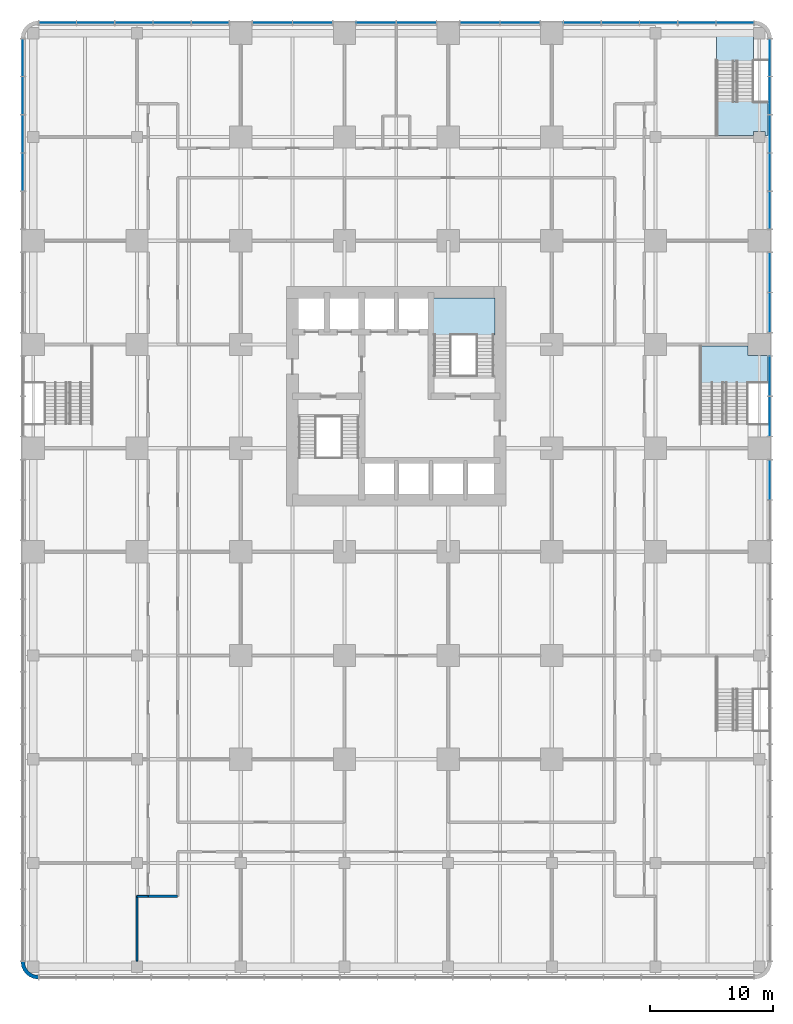
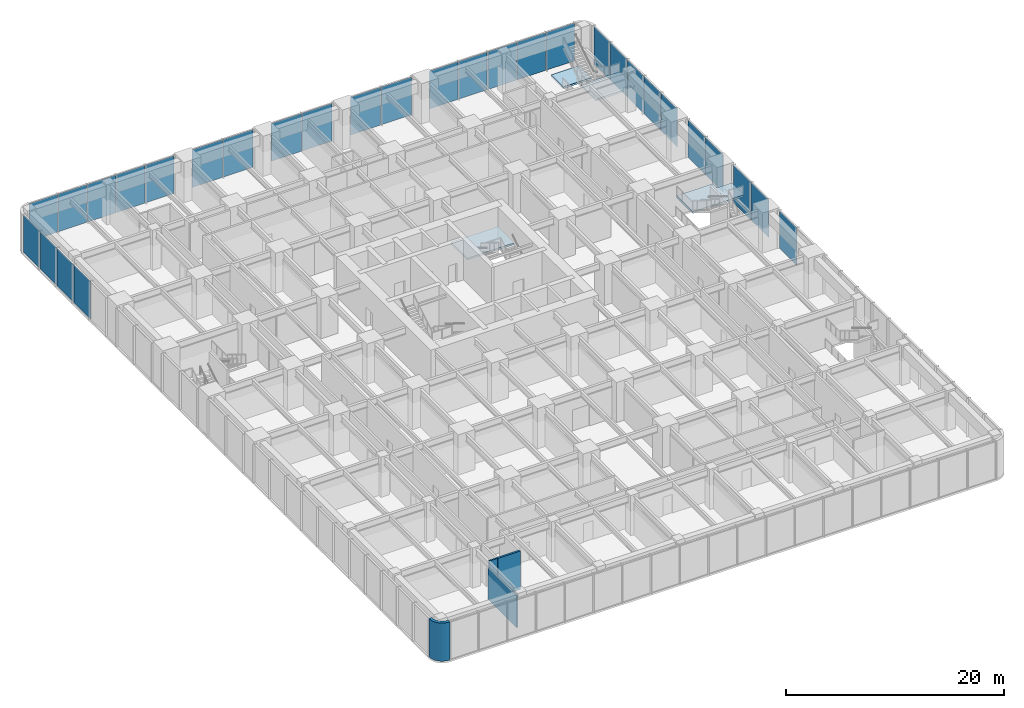
# One storey, part 10 of 19: 30 plates, 4 slabs, 4 walls, 6 elements without a shape of their own.
"""IFC4 building model written with IfcOpenShell, lengths in metres."""

import ifcopenshell
import ifcopenshell.guid

model = None  # the IFC model being written
_history = None  # IfcOwnerHistory: only IFC2X3 demands one
_inside = {}  # id of a spatial element -> (the spatial element, [elements in it])
_under = {}  # id of a project, library or spatial element -> (it, [spatial elements below it])
_declared = {}  # id of a project -> (the project, [libraries it declares])
_typed = {}  # id of a type object -> (the type object, [elements of that type])
_made_of = {}  # id of a material, layer set ... -> (it, [elements and type objects made of it])


def new_model(schema):
    """Start an empty IFC model of exactly this schema.

    Asked for "IFC4X3", IfcOpenShell would pick the latest addendum, in which some entities
    have other attributes; the version numbers below select the first issue.
    IFC2X3 requires an IfcOwnerHistory on every rooted entity: one is made here for all.
    """
    global model, _history
    if schema == "IFC4X3":
        model = ifcopenshell.file(schema_version=(4, 3, 0, 0))
    else:
        model = ifcopenshell.file(schema=schema)
    _inside.clear()
    _under.clear()
    _declared.clear()
    _typed.clear()
    _made_of.clear()
    _history = None
    if model.schema == "IFC2X3":
        org = make("IfcOrganization", Name="unknown")
        user = make(
            "IfcPersonAndOrganization",
            ThePerson=make("IfcPerson", FamilyName="unknown"),
            TheOrganization=org,
        )
        app = make(
            "IfcApplication",
            ApplicationDeveloper=org,
            Version="unknown",
            ApplicationFullName="unknown",
            ApplicationIdentifier="unknown",
        )
        _history = make(
            "IfcOwnerHistory",
            OwningUser=user,
            OwningApplication=app,
            ChangeAction="ADDED",
            CreationDate=0,
        )
    return model


def make(cls, **values):
    """One entity of the class cls with the attributes given. An attribute that is None is left unset."""
    return model.create_entity(
        cls, **{name: value for name, value in values.items() if value is not None}
    )


def rooted(cls, **values):
    """An entity with a GlobalId (a new one), such as an element, a storey or a relation."""
    return make(cls, GlobalId=ifcopenshell.guid.new(), OwnerHistory=_history, **values)


def si_unit(unit_type, name, prefix=None):
    """IfcSIUnit, for example si_unit("LENGTHUNIT", "METRE", prefix="MILLI")."""
    return make("IfcSIUnit", UnitType=unit_type, Prefix=prefix, Name=name)


def assignment(units):
    """IfcUnitAssignment: the units of a project."""
    return None if units is None else make("IfcUnitAssignment", Units=units)


def point(xyz):
    """IfcCartesianPoint."""
    return None if xyz is None else make("IfcCartesianPoint", Coordinates=xyz)


def direction(xyz):
    """IfcDirection."""
    return None if xyz is None else make("IfcDirection", DirectionRatios=xyz)


def frame(location, z_axis=None, x_axis=None):
    """IfcAxis2Placement3D, a coordinate frame: its origin and axes. An axis left out is left unset."""
    return make(
        "IfcAxis2Placement3D",
        Location=point(location),
        Axis=direction(z_axis),
        RefDirection=direction(x_axis),
    )


def frame_2d(location, x_axis=None):
    """IfcAxis2Placement2D, a coordinate frame in the plane: its origin and x axis."""
    return make(
        "IfcAxis2Placement2D", Location=point(location), RefDirection=direction(x_axis)
    )


def origin():
    """The frame at (0, 0, 0) with its axes left unset."""
    return frame((0.0, 0.0, 0.0))


def origin_2d():
    """The frame at (0, 0) in the plane with its x axis left unset."""
    return frame_2d((0.0, 0.0))


def place(relative_to, where):
    """IfcLocalPlacement: puts the frame where relative to a parent placement (None: the world)."""
    return make(
        "IfcLocalPlacement", PlacementRelTo=relative_to, RelativePlacement=where
    )


def context(
    kind, dimensions, precision=None, world=None, true_north=None, identifier=None
):
    """IfcGeometricRepresentationContext, for example the 3D "Model" context."""
    return make(
        "IfcGeometricRepresentationContext",
        ContextIdentifier=identifier,
        ContextType=kind,
        CoordinateSpaceDimension=dimensions,
        Precision=precision,
        WorldCoordinateSystem=world,
        TrueNorth=true_north,
    )


def subcontext(parent, identifier, kind, view, scale=None):
    """IfcGeometricRepresentationSubContext, for example "Body" below "Model"."""
    return make(
        "IfcGeometricRepresentationSubContext",
        ContextIdentifier=identifier,
        ContextType=kind,
        ParentContext=parent,
        TargetScale=scale,
        TargetView=view,
    )


def project(units=None, contexts=None):
    """IfcProject with its units and contexts."""
    return rooted(
        "IfcProject",
        Name="project",
        RepresentationContexts=contexts,
        UnitsInContext=assignment(units),
    )


def spatial(cls, under=None, at=None, **own):
    """A site, building, storey or space (cls), placed at a placement, below another one or the project."""
    s = rooted(cls, ObjectPlacement=at, **own)
    if under is not None:
        _under.setdefault(under.id(), (under, []))[1].append(s)
    return s


def polyline(points):
    """IfcPolyline through the points."""
    return make("IfcPolyline", Points=[point(p) for p in points])


def profile(cls, at=None, kind="AREA", **sizes):
    """A parametric profile (cls). Its sizes go by their IFC names, for example OverallWidth=200.0."""
    return make(cls, ProfileType=kind, Position=at, **sizes)


def rectangle(**sizes):
    """IfcRectangleProfileDef."""
    return profile("IfcRectangleProfileDef", **sizes)


def outline(outer, holes=None, kind="AREA"):
    """IfcArbitraryClosedProfileDef: a profile drawn as a closed curve; with holes, ...WithVoids."""
    if holes is None:
        return make("IfcArbitraryClosedProfileDef", ProfileType=kind, OuterCurve=outer)
    return make(
        "IfcArbitraryProfileDefWithVoids",
        ProfileType=kind,
        OuterCurve=outer,
        InnerCurves=holes,
    )


def extrude(swept, where, along, depth):
    """IfcExtrudedAreaSolid: the profile swept, set in the frame where, extruded along a direction by depth."""
    return make(
        "IfcExtrudedAreaSolid",
        SweptArea=swept,
        Position=where,
        ExtrudedDirection=direction(along),
        Depth=depth,
    )


def shape(context_of_items, identifier, shape_type, items):
    """IfcShapeRepresentation: the items that make up one representation, for example the "Body"."""
    return make(
        "IfcShapeRepresentation",
        ContextOfItems=context_of_items,
        RepresentationIdentifier=identifier,
        RepresentationType=shape_type,
        Items=items,
    )


def material(Name=None, Category=None):
    """IfcMaterial."""
    return make("IfcMaterial", Name=Name, Category=Category)


def layer(
    of_material, thickness, ventilated=None, Name=None, Category=None, Priority=None
):
    """IfcMaterialLayer: one layer of a wall or slab, of a material (None: an air gap)."""
    return make(
        "IfcMaterialLayer",
        Material=of_material,
        LayerThickness=thickness,
        IsVentilated=ventilated,
        Name=Name,
        Category=Category,
        Priority=Priority,
    )


def layer_set(layers, Name=None):
    """IfcMaterialLayerSet."""
    return make("IfcMaterialLayerSet", MaterialLayers=layers, LayerSetName=Name)


def made_of(thing, what):
    """Note that an element or type object is made of a material, layer set ...; save() writes the relation."""
    if what is not None:
        _made_of.setdefault(what.id(), (what, []))[1].append(thing)
    return thing


def type_object(cls, material=None, **own):
    """A type object (cls), such as IfcWallType, which elements share."""
    return made_of(rooted(cls, **own), material)


def element(
    cls,
    number,
    at=None,
    inside=None,
    cuts=None,
    type_object=None,
    material=None,
    context=None,
    identifier="Body",
    shape_type=None,
    held_by="IfcProductDefinitionShape",
    body=None,
    shapes=None,
    **own,
):
    """One element of the class cls, such as IfcWall. Its Tag is "e" and its number.

    at: its placement. inside: the storey or other place that contains it. cuts: it is an
    opening in that element (IfcRelVoidsElement). A single representation is given by context,
    identifier, shape_type and body (its items); several are given by shapes. held_by: the class
    of the entity that holds the representations. save() writes the other relations.
    """
    e = rooted(cls, Tag="e%d" % number, ObjectPlacement=at, **own)
    if body is not None:
        shapes = [shape(context, identifier, shape_type, body)]
    if shapes is not None:
        e.Representation = make(held_by, Representations=shapes)
    if inside is not None:
        _inside.setdefault(inside.id(), (inside, []))[1].append(e)
    if cuts is not None:
        rooted(
            "IfcRelVoidsElement", RelatingBuildingElement=cuts, RelatedOpeningElement=e
        )
    if type_object is not None:
        _typed.setdefault(type_object.id(), (type_object, []))[1].append(e)
    return made_of(e, material)


def aggregate(whole, parts):
    """IfcRelAggregates: a whole, such as a stair, and the parts it consists of."""
    return rooted("IfcRelAggregates", RelatingObject=whole, RelatedObjects=parts)


def save(model, path):
    """Write the relations noted so far, then the file.

    IfcRelAggregates (storeys below a building ...), IfcRelContainedInSpatialStructure (elements
    in a storey), IfcRelDefinesByType, IfcRelAssociatesMaterial and IfcRelDeclares: one each for
    every whole, place, type object, material and project.
    """
    for whole, parts in _under.values():
        aggregate(whole, parts)
    for where, things in _inside.values():
        rooted(
            "IfcRelContainedInSpatialStructure",
            RelatedElements=things,
            RelatingStructure=where,
        )
    for kind, things in _typed.values():
        rooted("IfcRelDefinesByType", RelatedObjects=things, RelatingType=kind)
    for what, things in _made_of.values():
        rooted("IfcRelAssociatesMaterial", RelatedObjects=things, RelatingMaterial=what)
    for by, libraries in _declared.values():
        rooted("IfcRelDeclares", RelatingContext=by, RelatedDefinitions=libraries)
    model.write(path)


model = new_model("IFC4")

# Units and contexts
model_context = context("Model", 3, precision=1e-05, world=origin(), true_north=direction((0.0, 1.0)))
body_context = subcontext(model_context, "Body", "Model", "MODEL_VIEW")
ifc_project = project(units=[si_unit("LENGTHUNIT", "METRE"), si_unit("AREAUNIT", "SQUARE_METRE"), si_unit("VOLUMEUNIT", "CUBIC_METRE"), si_unit("PLANEANGLEUNIT", "RADIAN"), si_unit("MASSUNIT", "GRAM", prefix="KILO")], contexts=[model_context])

# Site, building, storey
site_placement = place(None, origin())
site = spatial("IfcSite", under=ifc_project, at=site_placement, CompositionType="ELEMENT")
building_placement = place(site_placement, origin())
building = spatial("IfcBuilding", under=site, at=building_placement, Name="Torre Alcanfor", CompositionType="ELEMENT")
storey_placement = place(building_placement, frame((0.0, 0.0, 6.0)))
storey = spatial("IfcBuildingStorey", under=building, at=storey_placement, Name="L01", CompositionType="ELEMENT", Elevation=6.0)

# Curtain wall, plates
ifc_material_1 = material(Name="Aluminium and glass", Category="aluminium")
curtain_wall_type = type_object("IfcCurtainWallType", Name="CW-B unitised classroom glazing with vertical FIN", PredefinedType="NOTDEFINED", material=ifc_material_1)
curtain_wall_1_placement = place(storey_placement, origin())
curtain_wall_1 = element("IfcCurtainWall", 1, at=curtain_wall_1_placement, inside=storey, type_object=curtain_wall_type, Name="Curtain wall CW-B L01 1", PredefinedType="NOTDEFINED")
ifc_material_2 = material(Name="Glass", Category="glass")
ifc_layer_1 = layer(ifc_material_2, 0.028076171875)
ifc_layer_set_1 = layer_set([ifc_layer_1], Name="CW-B clear double glazed unit")
plate_type = type_object("IfcPlateType", Name="CW-B clear double glazed unit", PredefinedType="CURTAIN_PANEL", material=ifc_layer_set_1)
plate_1_placement = place(storey_placement, frame((59.64990234375, 22.63134765625, 0.0), z_axis=(0.0, 0.0, 1.0), x_axis=(0.0, 1.0, 0.0)))
plate_1 = element("IfcPlate", 2, at=plate_1_placement, type_object=plate_type, Name="CW-B panel 2.2.1", PredefinedType="CURTAIN_PANEL", context=body_context, shape_type="SweptSolid", body=[
    extrude(rectangle(XDim=3.197509765625, YDim=0.028076171875, at=origin_2d()), origin(), (0.0, 0.0, 1.0), 4.235107421875),
])
plate_2_placement = place(storey_placement, frame((59.64990234375, 27.768798828125, 0.0), z_axis=(0.0, 0.0, 1.0), x_axis=(0.0, 1.0, 0.0)))
plate_2 = element("IfcPlate", 3, at=plate_2_placement, type_object=plate_type, Name="CW-B panel 3.1.1", PredefinedType="CURTAIN_PANEL", context=body_context, shape_type="SweptSolid", body=[
    extrude(rectangle(XDim=3.197509765625, YDim=0.028076171875, at=origin_2d()), origin(), (0.0, 0.0, 1.0), 4.235107421875),
])
plate_3_placement = place(storey_placement, frame((59.64990234375, 31.03125, 0.0), z_axis=(0.0, 0.0, 1.0), x_axis=(0.0, 1.0, 0.0)))
plate_3 = element("IfcPlate", 4, at=plate_3_placement, type_object=plate_type, Name="CW-B panel 3.2.1", PredefinedType="CURTAIN_PANEL", context=body_context, shape_type="SweptSolid", body=[
    extrude(rectangle(XDim=3.197509765625, YDim=0.028076171875, at=origin_2d()), origin(), (0.0, 0.0, 1.0), 4.235107421875),
])
plate_4_placement = place(storey_placement, frame((59.64990234375, 36.168701171875, 0.0), z_axis=(0.0, 0.0, 1.0), x_axis=(0.0, 1.0, 0.0)))
plate_4 = element("IfcPlate", 5, at=plate_4_placement, type_object=plate_type, Name="CW-B panel 4.1.1", PredefinedType="CURTAIN_PANEL", context=body_context, shape_type="SweptSolid", body=[
    extrude(rectangle(XDim=3.197509765625, YDim=0.028076171875, at=origin_2d()), origin(), (0.0, 0.0, 1.0), 4.235107421875),
])
plate_5_placement = place(storey_placement, frame((59.64990234375, 39.43115234375, 0.0), z_axis=(0.0, 0.0, 1.0), x_axis=(0.0, 1.0, 0.0)))
plate_5 = element("IfcPlate", 6, at=plate_5_placement, type_object=plate_type, Name="CW-B panel 4.2.1", PredefinedType="CURTAIN_PANEL", context=body_context, shape_type="SweptSolid", body=[
    extrude(rectangle(XDim=3.197509765625, YDim=0.028076171875, at=origin_2d()), origin(), (0.0, 0.0, 1.0), 4.235107421875),
])
plate_6_placement = place(storey_placement, frame((59.64990234375, 44.470703125, 0.0), z_axis=(0.0, 0.0, 1.0), x_axis=(0.0, 1.0, 0.0)))
plate_6 = element("IfcPlate", 7, at=plate_6_placement, type_object=plate_type, Name="CW-B panel 5.1.1", PredefinedType="CURTAIN_PANEL", context=body_context, shape_type="SweptSolid", body=[
    extrude(rectangle(XDim=3.00146484375, YDim=0.028076171875, at=origin_2d()), origin(), (0.0, 0.0, 1.0), 4.235107421875),
])
plate_7_placement = place(storey_placement, frame((59.64990234375, 47.553466796875, 0.0), z_axis=(0.0, 0.0, 1.0), x_axis=(0.0, 1.0, 0.0)))
plate_7 = element("IfcPlate", 8, at=plate_7_placement, type_object=plate_type, Name="CW-B panel 5.2.1", PredefinedType="CURTAIN_PANEL", context=body_context, shape_type="SweptSolid", body=[
    extrude(rectangle(XDim=3.033935546875, YDim=0.028076171875, at=origin_2d()), origin(), (0.0, 0.0, 1.0), 4.235107421875),
])
plate_8_placement = place(storey_placement, frame((59.64990234375, 50.652587890625, 0.0), z_axis=(0.0, 0.0, 1.0), x_axis=(0.0, 1.0, 0.0)))
plate_8 = element("IfcPlate", 9, at=plate_8_placement, type_object=plate_type, Name="CW-B panel 5.3.1", PredefinedType="CURTAIN_PANEL", context=body_context, shape_type="SweptSolid", body=[
    extrude(rectangle(XDim=3.033935546875, YDim=0.028076171875, at=origin_2d()), origin(), (0.0, 0.0, 1.0), 4.235107421875),
])
plate_9_placement = place(storey_placement, frame((59.64990234375, 53.75146484375, 0.0), z_axis=(0.0, 0.0, 1.0), x_axis=(0.0, 1.0, 0.0)))
plate_9 = element("IfcPlate", 10, at=plate_9_placement, type_object=plate_type, Name="CW-B panel 5.4.1", PredefinedType="CURTAIN_PANEL", context=body_context, shape_type="SweptSolid", body=[
    extrude(rectangle(XDim=3.033935546875, YDim=0.028076171875, at=origin_2d()), origin(), (0.0, 0.0, 1.0), 4.235107421875),
])
plate_10_placement = place(storey_placement, frame((59.64990234375, 56.834228515625, 0.0), z_axis=(0.0, 0.0, 1.0), x_axis=(0.0, 1.0, 0.0)))
plate_10 = element("IfcPlate", 11, at=plate_10_placement, type_object=plate_type, Name="CW-B panel 5.5.1", PredefinedType="CURTAIN_PANEL", context=body_context, shape_type="SweptSolid", body=[
    extrude(rectangle(XDim=3.00146484375, YDim=0.028076171875, at=origin_2d()), origin(), (0.0, 0.0, 1.0), 4.235107421875),
])
aggregate(curtain_wall_1, [plate_1, plate_2, plate_3, plate_4, plate_5, plate_6, plate_7, plate_8, plate_9, plate_10])

curtain_wall_2_placement = place(storey_placement, origin())
curtain_wall_2 = element("IfcCurtainWall", 12, at=curtain_wall_2_placement, inside=storey, type_object=curtain_wall_type, Name="Curtain wall CW-B L01 2", PredefinedType="NOTDEFINED")
plate_11_placement = place(storey_placement, frame((56.834228515625, 59.64990234375, 0.0), z_axis=(0.0, 0.0, 1.0), x_axis=(-1.0, 0.0, 0.0)))
plate_11 = element("IfcPlate", 13, at=plate_11_placement, type_object=plate_type, Name="CW-B panel 1.1.1", PredefinedType="CURTAIN_PANEL", context=body_context, shape_type="SweptSolid", body=[
    extrude(rectangle(XDim=3.00146484375, YDim=0.028076171875, at=origin_2d()), origin(), (0.0, 0.0, 1.0), 4.235107421875),
])
plate_12_placement = place(storey_placement, frame((53.75146484375, 59.64990234375, 0.0), z_axis=(0.0, 0.0, 1.0), x_axis=(-1.0, 0.0, 0.0)))
plate_12 = element("IfcPlate", 14, at=plate_12_placement, type_object=plate_type, Name="CW-B panel 1.2.1", PredefinedType="CURTAIN_PANEL", context=body_context, shape_type="SweptSolid", body=[
    extrude(rectangle(XDim=3.033935546875, YDim=0.028076171875, at=origin_2d()), origin(), (0.0, 0.0, 1.0), 4.235107421875),
])
plate_13_placement = place(storey_placement, frame((50.652587890625, 59.64990234375, 0.0), z_axis=(0.0, 0.0, 1.0), x_axis=(-1.0, 0.0, 0.0)))
plate_13 = element("IfcPlate", 15, at=plate_13_placement, type_object=plate_type, Name="CW-B panel 1.3.1", PredefinedType="CURTAIN_PANEL", context=body_context, shape_type="SweptSolid", body=[
    extrude(rectangle(XDim=3.033935546875, YDim=0.028076171875, at=origin_2d()), origin(), (0.0, 0.0, 1.0), 4.235107421875),
])
plate_14_placement = place(storey_placement, frame((47.553466796875, 59.64990234375, 0.0), z_axis=(0.0, 0.0, 1.0), x_axis=(-1.0, 0.0, 0.0)))
plate_14 = element("IfcPlate", 16, at=plate_14_placement, type_object=plate_type, Name="CW-B panel 1.4.1", PredefinedType="CURTAIN_PANEL", context=body_context, shape_type="SweptSolid", body=[
    extrude(rectangle(XDim=3.033935546875, YDim=0.028076171875, at=origin_2d()), origin(), (0.0, 0.0, 1.0), 4.235107421875),
])
plate_15_placement = place(storey_placement, frame((44.470703125, 59.64990234375, 0.0), z_axis=(0.0, 0.0, 1.0), x_axis=(-1.0, 0.0, 0.0)))
plate_15 = element("IfcPlate", 17, at=plate_15_placement, type_object=plate_type, Name="CW-B panel 1.5.1", PredefinedType="CURTAIN_PANEL", context=body_context, shape_type="SweptSolid", body=[
    extrude(rectangle(XDim=3.00146484375, YDim=0.028076171875, at=origin_2d()), origin(), (0.0, 0.0, 1.0), 4.235107421875),
])
plate_16_placement = place(storey_placement, frame((39.43115234375, 59.64990234375, 0.0), z_axis=(0.0, 0.0, 1.0), x_axis=(-1.0, 0.0, 0.0)))
plate_16 = element("IfcPlate", 18, at=plate_16_placement, type_object=plate_type, Name="CW-B panel 2.1.1", PredefinedType="CURTAIN_PANEL", context=body_context, shape_type="SweptSolid", body=[
    extrude(rectangle(XDim=3.197509765625, YDim=0.028076171875, at=origin_2d()), origin(), (0.0, 0.0, 1.0), 4.235107421875),
])
plate_17_placement = place(storey_placement, frame((36.168701171875, 59.64990234375, 0.0), z_axis=(0.0, 0.0, 1.0), x_axis=(-1.0, 0.0, 0.0)))
plate_17 = element("IfcPlate", 19, at=plate_17_placement, type_object=plate_type, Name="CW-B panel 2.2.1", PredefinedType="CURTAIN_PANEL", context=body_context, shape_type="SweptSolid", body=[
    extrude(rectangle(XDim=3.197509765625, YDim=0.028076171875, at=origin_2d()), origin(), (0.0, 0.0, 1.0), 4.235107421875),
])
plate_18_placement = place(storey_placement, frame((31.03125, 59.64990234375, 0.0), z_axis=(0.0, 0.0, 1.0), x_axis=(-1.0, 0.0, 0.0)))
plate_18 = element("IfcPlate", 20, at=plate_18_placement, type_object=plate_type, Name="CW-B panel 3.1.1", PredefinedType="CURTAIN_PANEL", context=body_context, shape_type="SweptSolid", body=[
    extrude(rectangle(XDim=3.197509765625, YDim=0.028076171875, at=origin_2d()), origin(), (0.0, 0.0, 1.0), 4.235107421875),
])
plate_19_placement = place(storey_placement, frame((27.768798828125, 59.64990234375, 0.0), z_axis=(0.0, 0.0, 1.0), x_axis=(-1.0, 0.0, 0.0)))
plate_19 = element("IfcPlate", 21, at=plate_19_placement, type_object=plate_type, Name="CW-B panel 3.2.1", PredefinedType="CURTAIN_PANEL", context=body_context, shape_type="SweptSolid", body=[
    extrude(rectangle(XDim=3.197509765625, YDim=0.028076171875, at=origin_2d()), origin(), (0.0, 0.0, 1.0), 4.235107421875),
])
plate_20_placement = place(storey_placement, frame((22.63134765625, 59.64990234375, 0.0), z_axis=(0.0, 0.0, 1.0), x_axis=(-1.0, 0.0, 0.0)))
plate_20 = element("IfcPlate", 22, at=plate_20_placement, type_object=plate_type, Name="CW-B panel 4.1.1", PredefinedType="CURTAIN_PANEL", context=body_context, shape_type="SweptSolid", body=[
    extrude(rectangle(XDim=3.197509765625, YDim=0.028076171875, at=origin_2d()), origin(), (0.0, 0.0, 1.0), 4.235107421875),
])
plate_21_placement = place(storey_placement, frame((19.36865234375, 59.64990234375, 0.0), z_axis=(0.0, 0.0, 1.0), x_axis=(-1.0, 0.0, 0.0)))
plate_21 = element("IfcPlate", 23, at=plate_21_placement, type_object=plate_type, Name="CW-B panel 4.2.1", PredefinedType="CURTAIN_PANEL", context=body_context, shape_type="SweptSolid", body=[
    extrude(rectangle(XDim=3.197509765625, YDim=0.028076171875, at=origin_2d()), origin(), (0.0, 0.0, 1.0), 4.235107421875),
])
plate_22_placement = place(storey_placement, frame((14.329345703125, 59.64990234375, 0.0), z_axis=(0.0, 0.0, 1.0), x_axis=(-1.0, 0.0, 0.0)))
plate_22 = element("IfcPlate", 24, at=plate_22_placement, type_object=plate_type, Name="CW-B panel 5.1.1", PredefinedType="CURTAIN_PANEL", context=body_context, shape_type="SweptSolid", body=[
    extrude(rectangle(XDim=3.00146484375, YDim=0.028076171875, at=origin_2d()), origin(), (0.0, 0.0, 1.0), 4.235107421875),
])
plate_23_placement = place(storey_placement, frame((11.24658203125, 59.64990234375, 0.0), z_axis=(0.0, 0.0, 1.0), x_axis=(-1.0, 0.0, 0.0)))
plate_23 = element("IfcPlate", 25, at=plate_23_placement, type_object=plate_type, Name="CW-B panel 5.2.1", PredefinedType="CURTAIN_PANEL", context=body_context, shape_type="SweptSolid", body=[
    extrude(rectangle(XDim=3.033935546875, YDim=0.028076171875, at=origin_2d()), origin(), (0.0, 0.0, 1.0), 4.235107421875),
])
plate_24_placement = place(storey_placement, frame((8.1474609375, 59.64990234375, 0.0), z_axis=(0.0, 0.0, 1.0), x_axis=(-1.0, 0.0, 0.0)))
plate_24 = element("IfcPlate", 26, at=plate_24_placement, type_object=plate_type, Name="CW-B panel 5.3.1", PredefinedType="CURTAIN_PANEL", context=body_context, shape_type="SweptSolid", body=[
    extrude(rectangle(XDim=3.033935546875, YDim=0.028076171875, at=origin_2d()), origin(), (0.0, 0.0, 1.0), 4.235107421875),
])
plate_25_placement = place(storey_placement, frame((5.048583984375, 59.64990234375, 0.0), z_axis=(0.0, 0.0, 1.0), x_axis=(-1.0, 0.0, 0.0)))
plate_25 = element("IfcPlate", 27, at=plate_25_placement, type_object=plate_type, Name="CW-B panel 5.4.1", PredefinedType="CURTAIN_PANEL", context=body_context, shape_type="SweptSolid", body=[
    extrude(rectangle(XDim=3.033935546875, YDim=0.028076171875, at=origin_2d()), origin(), (0.0, 0.0, 1.0), 4.235107421875),
])
plate_26_placement = place(storey_placement, frame((1.9658203125, 59.64990234375, 0.0), z_axis=(0.0, 0.0, 1.0), x_axis=(-1.0, 0.0, 0.0)))
plate_26 = element("IfcPlate", 28, at=plate_26_placement, type_object=plate_type, Name="CW-B panel 5.5.1", PredefinedType="CURTAIN_PANEL", context=body_context, shape_type="SweptSolid", body=[
    extrude(rectangle(XDim=3.00146484375, YDim=0.028076171875, at=origin_2d()), origin(), (0.0, 0.0, 1.0), 4.235107421875),
])
aggregate(curtain_wall_2, [plate_11, plate_12, plate_13, plate_14, plate_15, plate_16, plate_17, plate_18, plate_19, plate_20, plate_21, plate_22, plate_23, plate_24, plate_25, plate_26])

curtain_wall_3_placement = place(storey_placement, origin())
curtain_wall_3 = element("IfcCurtainWall", 29, at=curtain_wall_3_placement, inside=storey, type_object=curtain_wall_type, Name="Curtain wall CW-B L01 3", PredefinedType="NOTDEFINED")
plate_27_placement = place(storey_placement, frame((-0.85009765625, 56.834228515625, 0.0), z_axis=(0.0, 0.0, 1.0), x_axis=(0.0, -1.0, 0.0)))
plate_27 = element("IfcPlate", 30, at=plate_27_placement, type_object=plate_type, Name="CW-B panel 1.1.1", PredefinedType="CURTAIN_PANEL", context=body_context, shape_type="SweptSolid", body=[
    extrude(rectangle(XDim=3.00146484375, YDim=0.028076171875, at=origin_2d()), origin(), (0.0, 0.0, 1.0), 4.235107421875),
])
plate_28_placement = place(storey_placement, frame((-0.85009765625, 53.75146484375, 0.0), z_axis=(0.0, 0.0, 1.0), x_axis=(0.0, -1.0, 0.0)))
plate_28 = element("IfcPlate", 31, at=plate_28_placement, type_object=plate_type, Name="CW-B panel 1.2.1", PredefinedType="CURTAIN_PANEL", context=body_context, shape_type="SweptSolid", body=[
    extrude(rectangle(XDim=3.033935546875, YDim=0.028076171875, at=origin_2d()), origin(), (0.0, 0.0, 1.0), 4.235107421875),
])
plate_29_placement = place(storey_placement, frame((-0.85009765625, 50.652587890625, 0.0), z_axis=(0.0, 0.0, 1.0), x_axis=(0.0, -1.0, 0.0)))
plate_29 = element("IfcPlate", 32, at=plate_29_placement, type_object=plate_type, Name="CW-B panel 1.3.1", PredefinedType="CURTAIN_PANEL", context=body_context, shape_type="SweptSolid", body=[
    extrude(rectangle(XDim=3.033935546875, YDim=0.028076171875, at=origin_2d()), origin(), (0.0, 0.0, 1.0), 4.235107421875),
])
plate_30_placement = place(storey_placement, frame((-0.85009765625, 47.553466796875, 0.0), z_axis=(0.0, 0.0, 1.0), x_axis=(0.0, -1.0, 0.0)))
plate_30 = element("IfcPlate", 33, at=plate_30_placement, type_object=plate_type, Name="CW-B panel 1.4.1", PredefinedType="CURTAIN_PANEL", context=body_context, shape_type="SweptSolid", body=[
    extrude(rectangle(XDim=3.033935546875, YDim=0.028076171875, at=origin_2d()), origin(), (0.0, 0.0, 1.0), 4.235107421875),
])
aggregate(curtain_wall_3, [plate_27, plate_28, plate_29, plate_30])

# Stair, slab
ifc_material_3 = material(Name="Concrete f'c 35 MPa", Category="concrete")
stair_type_1 = type_object("IfcStairType", Name="Exit stair S2 1400 wide", PredefinedType="HALF_TURN_STAIR", material=ifc_material_3)
stair_1_placement = place(storey_placement, origin())
stair_1 = element("IfcStair", 34, at=stair_1_placement, inside=storey, type_object=stair_type_1, Name="Stair S2 L01 to L02", PredefinedType="HALF_TURN_STAIR")
ifc_material_4 = material(Name="Concrete f'c 35 MPa", Category="concrete")
ifc_layer_2 = layer(ifc_material_4, 0.199951171875)
ifc_layer_set_2 = layer_set([ifc_layer_2], Name="Stair landing 200")
slab_type = type_object("IfcSlabType", Name="Stair landing 200", PredefinedType="LANDING", material=ifc_layer_set_2)
slab_1_placement = place(storey_placement, frame((0.0, 0.0, 2.050048828125)))
slab_1 = element("IfcSlab", 35, at=slab_1_placement, type_object=slab_type, Name="S2 landing 2", PredefinedType="LANDING", context=body_context, shape_type="SweptSolid", body=[
    extrude(outline(polyline([(32.3701171875, 34.360107421875), (37.3798828125, 34.360107421875), (37.3798828125, 37.3798828125), (32.3701171875, 37.3798828125), (32.3701171875, 34.360107421875)])), origin(), (0.0, 0.0, 1.0), 0.199951171875),
])
aggregate(stair_1, [slab_1])

ifc_material_5 = material(Name="Concrete f'c 35 MPa", Category="concrete")
stair_type_2 = type_object("IfcStairType", Name="Exit stair SS2 1830 wide", PredefinedType="HALF_TURN_STAIR", material=ifc_material_5)
stair_2_placement = place(storey_placement, origin())
stair_2 = element("IfcStair", 36, at=stair_2_placement, inside=storey, type_object=stair_type_2, Name="Stair SS2 L01 to L02", PredefinedType="HALF_TURN_STAIR")
slab_2_placement = place(storey_placement, frame((0.0, 0.0, 2.050048828125)))
slab_2 = element("IfcSlab", 37, at=slab_2_placement, type_object=slab_type, Name="SS2 landing 2", PredefinedType="LANDING", context=body_context, shape_type="SweptSolid", body=[
    extrude(outline(polyline([(59.5, 30.465087890625), (54.0400390625, 30.465087890625), (54.0400390625, 33.465087890625), (57.89990234375, 33.465087890625), (57.89990234375, 32.699951171875), (59.5, 32.699951171875), (59.5, 30.465087890625)])), origin(), (0.0, 0.0, 1.0), 0.199951171875),
])
aggregate(stair_2, [slab_2])

# Stair, slabs
ifc_material_6 = material(Name="Concrete f'c 35 MPa", Category="concrete")
stair_type_3 = type_object("IfcStairType", Name="Exit stair SS4 1400 wide", PredefinedType="HALF_TURN_STAIR", material=ifc_material_6)
stair_3_placement = place(storey_placement, origin())
stair_3 = element("IfcStair", 38, at=stair_3_placement, inside=storey, type_object=stair_type_3, Name="Stair SS4 L01 to L02", PredefinedType="HALF_TURN_STAIR")
slab_3_placement = place(storey_placement, frame((0.0, 0.0, -0.199951171875)))
slab_3 = element("IfcSlab", 39, at=slab_3_placement, type_object=slab_type, Name="SS4 landing 1", PredefinedType="LANDING", context=body_context, shape_type="SweptSolid", body=[
    extrude(outline(polyline([(55.35009765625, 58.77490234375), (58.35009765625, 58.77490234375), (58.35009765625, 58.35009765625), (58.35009765625, 58.35009765625), (58.35009765625, 56.52490234375), (55.35009765625, 56.52490234375), (55.35009765625, 58.77490234375)])), origin(), (0.0, 0.0, 1.0), 0.199951171875),
])
slab_4_placement = place(storey_placement, frame((0.0, 0.0, 2.050048828125)))
slab_4 = element("IfcSlab", 40, at=slab_4_placement, type_object=slab_type, Name="SS4 landing 2", PredefinedType="LANDING", context=body_context, shape_type="SweptSolid", body=[
    extrude(outline(polyline([(55.35009765625, 50.5400390625), (55.35009765625, 53.264892578125), (59.5, 53.264892578125), (59.5, 50.5400390625), (59.25, 50.5400390625), (59.25, 50.85009765625), (58.35009765625, 50.85009765625), (58.35009765625, 50.5400390625), (55.35009765625, 50.5400390625)])), origin(), (0.0, 0.0, 1.0), 0.199951171875),
])
aggregate(stair_3, [slab_3, slab_4])

# Walls
ifc_material_7 = material(Name="Concrete block masonry, hollow blocks NMX-C-404 9 MPa", Category="masonry")
ifc_layer_3 = layer(ifc_material_7, 0.14990234375)
ifc_layer_set_3 = layer_set([ifc_layer_3], Name="Classroom partition 150")
wall_type_1 = type_object("IfcWallType", Name="Classroom partition 150", PredefinedType="PARTITIONING", material=ifc_layer_set_3)
wall_1_placement = place(storey_placement, frame((8.39990234375, -16.35009765625, 0.0), z_axis=(0.0, 0.0, 1.0), x_axis=(0.0, 1.0, 0.0)))
element("IfcWall", 41, at=wall_1_placement, inside=storey, type_object=wall_type_1, Name="Partition L01-01 / L01-03", PredefinedType="PARTITIONING", context=body_context, shape_type="SweptSolid", body=[
    extrude(rectangle(XDim=5.25, YDim=0.14990234375, at=frame_2d((2.625, 0.0))), origin(), (0.0, 0.0, 1.0), 3.543212890625),
])
wall_2_placement = place(storey_placement, frame((8.39990234375, -11.10009765625, 0.0), z_axis=(0.0, 0.0, 1.0), x_axis=(1.0, 0.0, 0.0)))
element("IfcWall", 42, at=wall_2_placement, inside=storey, type_object=wall_type_1, Name="Partition L01-01 / L01-03", PredefinedType="PARTITIONING", context=body_context, shape_type="SweptSolid", body=[
    extrude(rectangle(XDim=0.900146484375, YDim=0.14990234375, at=frame_2d((0.4501953125, 0.0))), origin(), (0.0, 0.0, 1.0), 4.300048828125),
])
ifc_material_8 = material(Name="Limestone cladding", Category="masonry")
ifc_layer_4 = layer(ifc_material_8, 0.0400390625, Name="Facing")
ifc_material_9 = material(Name="Ventilated air cavity")
ifc_layer_5 = layer(ifc_material_9, 0.02001953125, ventilated=True, Name="Ventilated joint")
ifc_material_10 = material(Name="Mineral wool insulation", Category="insulation")
ifc_layer_6 = layer(ifc_material_10, 0.10009765625, Name="Insulation")
ifc_material_11 = material(Name="Concrete f'c 35 MPa", Category="concrete")
ifc_layer_7 = layer(ifc_material_11, 0.139892578125, Name="Backing")
ifc_layer_set_4 = layer_set([ifc_layer_4, ifc_layer_5, ifc_layer_6, ifc_layer_7], Name="Rounded corner pier stone-clad 300")
wall_type_2 = type_object("IfcWallType", Name="Rounded corner pier stone-clad 300", PredefinedType="SOLIDWALL", material=ifc_layer_set_4)
wall_3_placement = place(storey_placement, frame((-0.847901787, -16.355188981, 0.0), z_axis=(0.0, 0.0, 1.0), x_axis=(-0.707106781187, -0.707106781187, 0.0)))
element("IfcWall", 43, at=wall_3_placement, inside=storey, type_object=wall_type_2, Name="Corner pier L01 7", PredefinedType="SOLIDWALL", context=body_context, shape_type="SweptSolid", body=[
    extrude(outline(polyline([(0.1393394333203346, 1.9040009582121555), (-0.10079375335703067, 1.719801022780992), (-0.08681044054548026, 1.7058177099694416), (0.09963373027519151, 1.4627497539365657), (0.20925599737808648, 1.1981026114661122), (0.2465448315422209, 0.9139478844560884), (0.20925599737808653, 0.630138424429066), (0.09963373027519157, 0.3654912819586125), (-0.08681044054548016, 0.12242332592573678), (-0.10079375335703054, 0.1084400131141864), (0.139166799828834, -0.07593255580847787), (0.3616913703731357, 0.21391907642106645), (0.5016971319801401, 0.5517628192877836), (0.5491713421428113, 0.9141205179475891), (0.5015244984886396, 1.276305583115894), (0.3616913703731357, 1.6139766924911105), (0.1393394333203346, 1.9040009582121555)])), origin(), (0.0, 0.0, 1.0), 4.300048828125),
])
ifc_material_12 = material(Name="Concrete block masonry, hollow blocks NMX-C-404 9 MPa", Category="masonry")
ifc_layer_8 = layer(ifc_material_12, 0.199951171875)
ifc_layer_set_5 = layer_set([ifc_layer_8], Name="School corridor wall 200")
wall_type_3 = type_object("IfcWallType", Name="School corridor wall 200", PredefinedType="PARTITIONING", material=ifc_layer_set_5)
wall_4_placement = place(storey_placement, frame((9.300048828125, -11.10009765625, 0.0), z_axis=(0.0, 0.0, 1.0), x_axis=(1.0, 0.0, 0.0)))
element("IfcWall", 44, at=wall_4_placement, inside=storey, type_object=wall_type_3, Name="Partition L01-01 / L01-CORR", PredefinedType="PARTITIONING", context=body_context, shape_type="SweptSolid", body=[
    extrude(rectangle(XDim=2.39990234375, YDim=0.199951171875, at=frame_2d((1.199951171875, 0.0))), origin(), (0.0, 0.0, 1.0), 4.300048828125),
])

save(model, "model.ifc")
